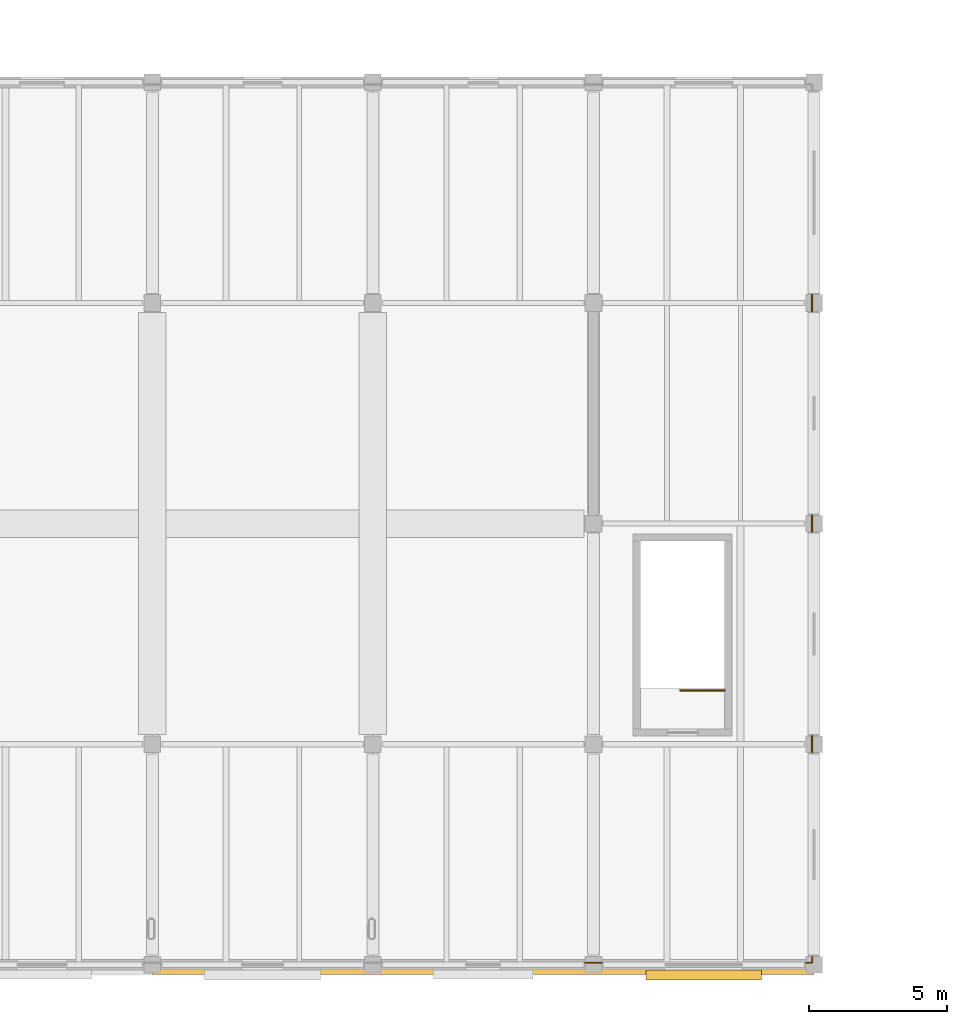
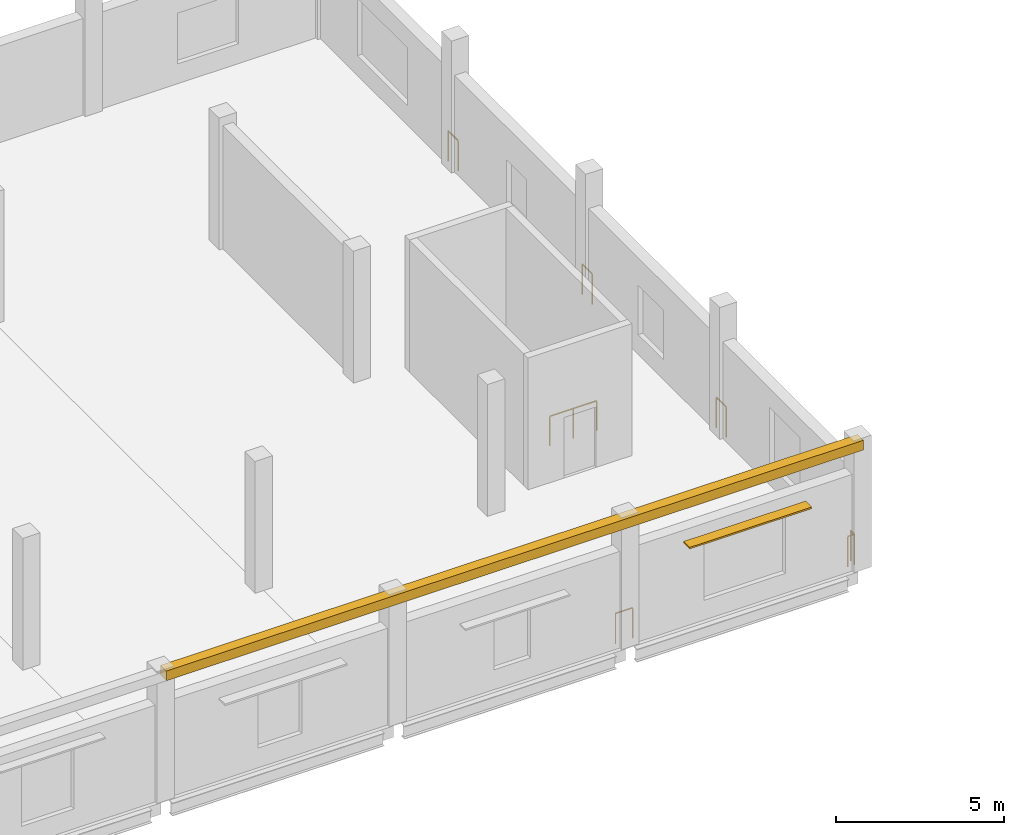
# One storey, part 38 of 52: 6 railings, 1 covering, 1 shading device.
"""IFC4 building model written with IfcOpenShell, lengths in metres."""

from ifc_helpers import new_model, si_unit, direction, frame, origin, origin_2d, place, context, subcontext, project, spatial, polyline, rectangle, circle, outline, extrude, material, layer, layer_set, type_object, element, save


model = new_model("IFC4")

# Units and contexts
model_context = context("Model", 3, precision=1e-05, world=origin(), true_north=direction((0.0, 1.0)))
body_context = subcontext(model_context, "Body", "Model", "MODEL_VIEW")
ifc_project = project(units=[si_unit("LENGTHUNIT", "METRE"), si_unit("AREAUNIT", "SQUARE_METRE"), si_unit("VOLUMEUNIT", "CUBIC_METRE"), si_unit("PLANEANGLEUNIT", "RADIAN"), si_unit("MASSUNIT", "GRAM", prefix="KILO")], contexts=[model_context])

# Site, building, storey
site_placement = place(None, origin())
site = spatial("IfcSite", under=ifc_project, at=site_placement, CompositionType="ELEMENT")
building_placement = place(site_placement, origin())
building = spatial("IfcBuilding", under=site, at=building_placement, Name="Pecanmere Concourse Central Library", CompositionType="ELEMENT")
storey_placement = place(building_placement, frame((0.0, 0.0, 10.5)))
storey = spatial("IfcBuildingStorey", under=building, at=storey_placement, Name="L03", CompositionType="ELEMENT", Elevation=10.5)

# Covering
ifc_material_1 = material(Name="Texas cream limestone ashlar masonry", Category="masonry")
ifc_layer = layer(ifc_material_1, 0.06005859375, Name="COV_CLAD_CORNICE")
ifc_layer_set = layer_set([ifc_layer], Name="Texas cream limestone ashlar masonry")
covering_type = type_object("IfcCoveringType", Name="COV_CLAD_CORNICE", PredefinedType="CLADDING", material=ifc_layer_set)
covering_placement = place(storey_placement, frame((0.0, 0.0, 4.39990234375)))
element("IfcCovering", 1, at=covering_placement, inside=storey, type_object=covering_type, Name="Classical Entablature Cornice 02", PredefinedType="CLADDING", context=body_context, shape_type="SweptSolid", body=[
    extrude(outline(polyline([(24.0, -0.35009765625), (48.0, -0.35009765625), (48.0, 0.0), (24.0, 0.0), (24.0, -0.35009765625)])), origin(), (0.0, 0.0, 1.0), 0.35009765625),
])

# Railings
ifc_material_2 = material(Name="Architectural anodized bronze")
railing_type_1 = type_object("IfcRailingType", Name="RAIL_ATRIUM_BAL", PredefinedType="BALUSTRADE", material=ifc_material_2)
for number, where, name in (
    (2, (47.9296875, 24.294921875, 0.0), "Deck Edge Protective Balustrade L03-145"),
    (3, (47.929931640625, 16.294921875, 0.0), "Deck Edge Protective Balustrade L03-146"),
    (4, (47.929931640625, 8.294921875, 0.0), "Deck Edge Protective Balustrade L03-147"),
):
    element("IfcRailing", number, at=place(storey_placement, frame(where)), inside=storey, type_object=railing_type_1, Name=name, PredefinedType="BALUSTRADE", context=body_context, shape_type="SweptSolid", body=[
        extrude(circle(Radius=0.02392578125, at=origin_2d()), frame((0.0, 0.0, 1.09619140625), z_axis=(0.0, -1.0, 0.0), x_axis=(1.0, 0.0, 0.0)), (0.0, 0.0, 1.0), 0.58984375),
        extrude(circle(Radius=0.02099609375, at=origin_2d()), origin(), (0.0, 0.0, 1.0), 1.072021484375),
        extrude(circle(Radius=0.02099609375, at=origin_2d()), frame((0.0, -0.58984375, 0.0)), (0.0, 0.0, 1.0), 1.072021484375),
    ])
railing_1_placement = place(storey_placement, frame((47.929931640625, 0.294921875, 0.0)))
element("IfcRailing", 5, at=railing_1_placement, inside=storey, type_object=railing_type_1, Name="Deck Edge Protective Balustrade L03-148", PredefinedType="BALUSTRADE", context=body_context, shape_type="SweptSolid", body=[
    extrude(circle(Radius=0.02392578125, at=origin_2d()), frame((0.0, 0.0, 1.09619140625), z_axis=(0.0, -1.0, 0.0), x_axis=(1.0, 0.0, 0.0)), (0.0, 0.0, 1.0), 0.224609375),
    extrude(circle(Radius=0.02392578125, at=origin_2d()), frame((0.0, -0.224609375, 1.09619140625), z_axis=(-1.0, 0.0, 0.0), x_axis=(0.0, -1.0, 0.0)), (0.0, 0.0, 1.0), 0.224853515625),
    extrude(circle(Radius=0.02099609375, at=origin_2d()), origin(), (0.0, 0.0, 1.0), 1.072021484375),
    extrude(circle(Radius=0.02099609375, at=origin_2d()), frame((0.0, -0.224609375, 0.0)), (0.0, 0.0, 1.0), 1.072021484375),
    extrude(circle(Radius=0.02099609375, at=origin_2d()), frame((-0.224853515625, -0.224609375, 0.0)), (0.0, 0.0, 1.0), 1.072021484375),
])
railing_2_placement = place(storey_placement, frame((40.294921875, 0.0703125, 0.0)))
element("IfcRailing", 6, at=railing_2_placement, inside=storey, type_object=railing_type_1, Name="Deck Edge Protective Balustrade L03-149", PredefinedType="BALUSTRADE", context=body_context, shape_type="SweptSolid", body=[
    extrude(circle(Radius=0.02392578125, at=origin_2d()), frame((0.0, 0.0, 1.09619140625), z_axis=(-1.0, 0.0, 0.0), x_axis=(0.0, -1.0, 0.0)), (0.0, 0.0, 1.0), 0.58984375),
    extrude(circle(Radius=0.02099609375, at=origin_2d()), origin(), (0.0, 0.0, 1.0), 1.072021484375),
    extrude(circle(Radius=0.02099609375, at=origin_2d()), frame((-0.58984375, 0.0, 0.0)), (0.0, 0.0, 1.0), 1.072021484375),
])
ifc_material_3 = material(Name="Painted architectural steel ASTM A36", Category="steel")
railing_type_2 = type_object("IfcRailingType", Name="RAIL_STAIR_GUARD", PredefinedType="GUARDRAIL", material=ifc_material_3)
railing_3_placement = place(storey_placement, frame((44.760009765625, 9.949951171875, 0.0)))
element("IfcRailing", 7, at=railing_3_placement, inside=storey, type_object=railing_type_2, Name="L03 ST-07 Top Well Guard 1", PredefinedType="GUARDRAIL", context=body_context, shape_type="SweptSolid", body=[
    extrude(circle(Radius=0.02392578125, at=origin_2d()), frame((0.0, 0.0, 1.076171875), z_axis=(-1.0, 0.0, 0.0), x_axis=(0.0, -1.0, 0.0)), (0.0, 0.0, 1.0), 1.610107421875),
    extrude(circle(Radius=0.02099609375, at=origin_2d()), origin(), (0.0, 0.0, 1.0), 1.052001953125),
    extrude(circle(Radius=0.02099609375, at=origin_2d()), frame((-0.80517578125, 0.0, 0.0)), (0.0, 0.0, 1.0), 1.052001953125),
    extrude(circle(Radius=0.02099609375, at=origin_2d()), frame((-1.610107421875, 0.0, 0.0)), (0.0, 0.0, 1.0), 1.052001953125),
])

# Shading device
ifc_material_4 = material(Name="Architectural anodized bronze")
shading_device_type = type_object("IfcShadingDeviceType", Name="SHD_BRISE_1", PredefinedType="AWNING", material=ifc_material_4)
shading_device_placement = place(storey_placement, frame((44.0, -0.375, 3.050048828125), z_axis=(0.0, 0.0, 1.0), x_axis=(1.0, 0.0, 0.0)))
element("IfcShadingDevice", 8, at=shading_device_placement, inside=storey, type_object=shading_device_type, Name="Bronze Solar Brise-Soleil L03-032", PredefinedType="AWNING", context=body_context, shape_type="SweptSolid", body=[
    extrude(rectangle(XDim=4.199951171875, YDim=0.360107421875, at=origin_2d()), origin(), (0.0, 0.0, 1.0), 0.06005859375),
])

save(model, "model.ifc")
